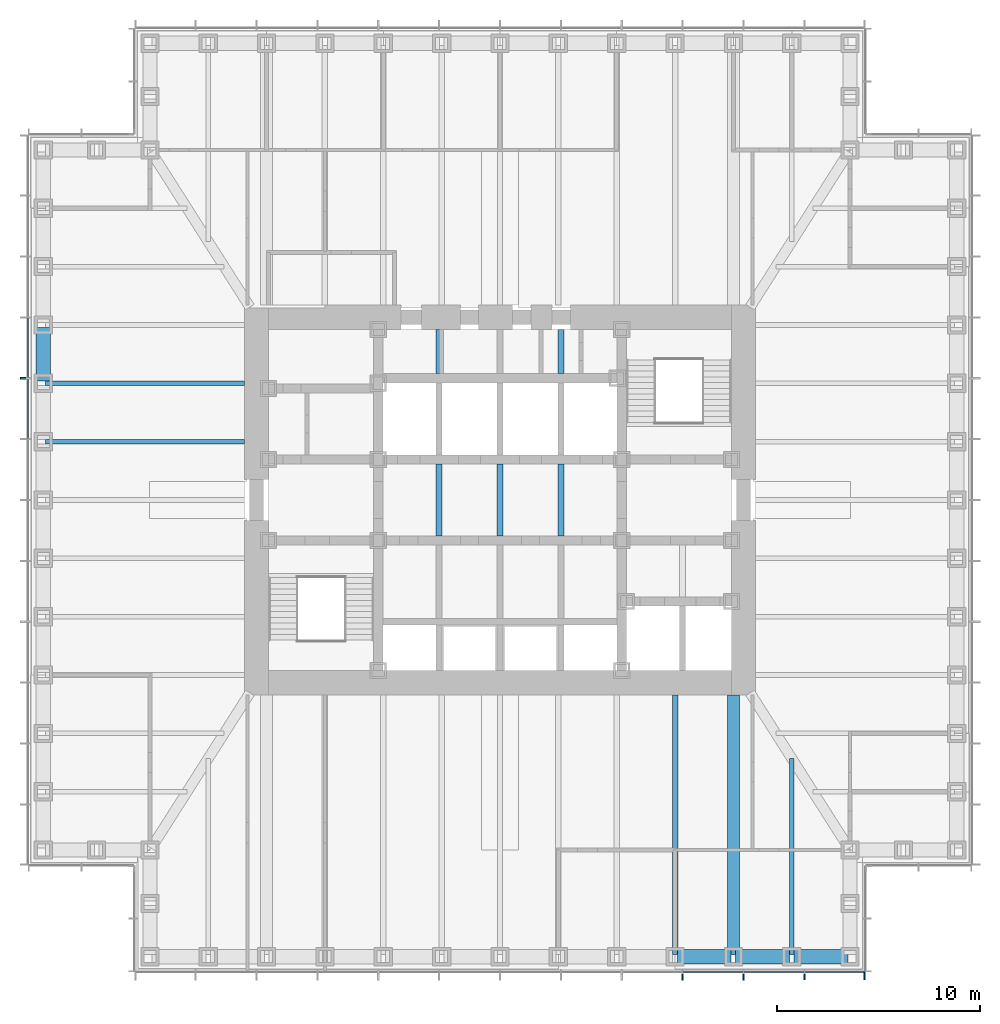
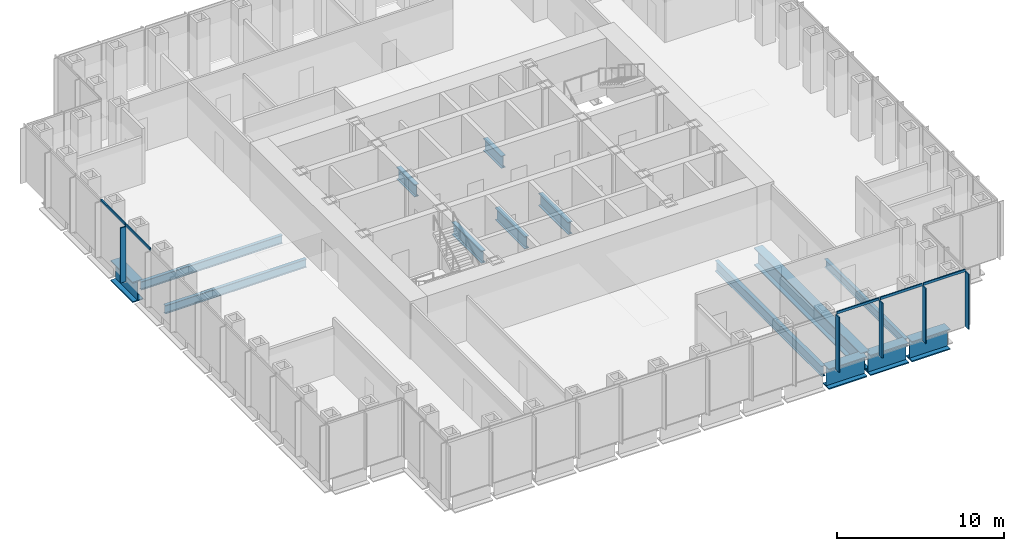
# One storey, part 3 of 17: 14 beams, 10 members, 2 elements without a shape of their own.
"""IFC4 building model written with IfcOpenShell, lengths in metres."""

from ifc_helpers import new_model, si_unit, direction, frame, origin, origin_2d, place, context, subcontext, project, spatial, rectangle, i_section, extrude, material, material_profile, profile_set, type_object, element, aggregate, save


model = new_model("IFC4")

# Units and contexts
model_context = context("Model", 3, precision=1e-05, world=origin(), true_north=direction((0.0, 1.0)))
body_context = subcontext(model_context, "Body", "Model", "MODEL_VIEW")
ifc_project = project(units=[si_unit("LENGTHUNIT", "METRE"), si_unit("AREAUNIT", "SQUARE_METRE"), si_unit("VOLUMEUNIT", "CUBIC_METRE"), si_unit("PLANEANGLEUNIT", "RADIAN"), si_unit("MASSUNIT", "GRAM", prefix="KILO")], contexts=[model_context])

# Site, building, storey
site_placement = place(None, origin())
site = spatial("IfcSite", under=ifc_project, at=site_placement, CompositionType="ELEMENT")
building_placement = place(site_placement, origin())
building = spatial("IfcBuilding", under=site, at=building_placement, Name="Daluyong Arena Tower", CompositionType="ELEMENT")
storey_placement = place(building_placement, frame((0.0, 0.0, 124.89990234375)))
storey = spatial("IfcBuildingStorey", under=building, at=storey_placement, Name="L27", CompositionType="ELEMENT", Elevation=124.89990234375)

# Curtain wall, members
ifc_material_1 = material(Name="Bronze anodised aluminium and glass", Category="aluminium")
curtain_wall_type = type_object("IfcCurtainWallType", Name="Curtain wall CW2", PredefinedType="USERDEFINED", material=ifc_material_1)
curtain_wall_1_placement = place(storey_placement, origin())
curtain_wall_1 = element("IfcCurtainWall", 1, at=curtain_wall_1_placement, inside=storey, type_object=curtain_wall_type, Name="curtain wall L27 S", ObjectType="UNITISED CURTAIN WALL", PredefinedType="USERDEFINED")
ifc_material_2 = material(Name="Bronze anodised aluminium fin", Category="aluminium")
ifc_material_profile_1 = material_profile(ifc_material_2, rectangle(XDim=0.39990234375, YDim=0.080078125, at=origin_2d()))
ifc_profile_set_1 = profile_set([ifc_material_profile_1], Name="Bronze anodised aluminium fin")
member_type_1 = type_object("IfcMemberType", Name="CW2 bronze fin 400x80", PredefinedType="MULLION", material=ifc_profile_set_1)
member_1_placement = place(storey_placement, frame((65.0, 56.550048828125, 0.0), z_axis=(0.0, 0.0, 1.0), x_axis=(0.0, 1.0, 0.0)))
member_1 = element("IfcMember", 2, at=member_1_placement, type_object=member_type_1, Name="curtain wall L27 S fin 10", PredefinedType="MULLION", context=body_context, shape_type="SweptSolid", body=[
    extrude(rectangle(XDim=0.39990234375, YDim=0.080078125, at=origin_2d()), origin(), (0.0, 0.0, 1.0), 4.02001953125),
])
member_2_placement = place(storey_placement, frame((68.0, 56.550048828125, 0.0), z_axis=(0.0, 0.0, 1.0), x_axis=(0.0, 1.0, 0.0)))
member_2 = element("IfcMember", 3, at=member_2_placement, type_object=member_type_1, Name="curtain wall L27 S fin 11", PredefinedType="MULLION", context=body_context, shape_type="SweptSolid", body=[
    extrude(rectangle(XDim=0.39990234375, YDim=0.080078125, at=origin_2d()), origin(), (0.0, 0.0, 1.0), 4.02001953125),
])
member_3_placement = place(storey_placement, frame((71.0, 56.550048828125, 0.0), z_axis=(0.0, 0.0, 1.0), x_axis=(0.0, 1.0, 0.0)))
member_3 = element("IfcMember", 4, at=member_3_placement, type_object=member_type_1, Name="curtain wall L27 S fin 12", PredefinedType="MULLION", context=body_context, shape_type="SweptSolid", body=[
    extrude(rectangle(XDim=0.39990234375, YDim=0.080078125, at=origin_2d()), origin(), (0.0, 0.0, 1.0), 4.02001953125),
])
member_4_placement = place(storey_placement, frame((73.9599609375, 56.550048828125, 0.0), z_axis=(0.0, 0.0, 1.0), x_axis=(0.0, 1.0, 0.0)))
member_4 = element("IfcMember", 5, at=member_4_placement, type_object=member_type_1, Name="curtain wall L27 S fin 13", PredefinedType="MULLION", context=body_context, shape_type="SweptSolid", body=[
    extrude(rectangle(XDim=0.39990234375, YDim=0.080078125, at=origin_2d()), origin(), (0.0, 0.0, 1.0), 4.02001953125),
])

# Curtain wall, member
curtain_wall_2_placement = place(storey_placement, origin())
curtain_wall_2 = element("IfcCurtainWall", 6, at=curtain_wall_2_placement, inside=storey, type_object=curtain_wall_type, Name="curtain wall L27 W", ObjectType="UNITISED CURTAIN WALL", PredefinedType="USERDEFINED")
member_5_placement = place(storey_placement, frame((32.550048828125, 86.0, 0.0), z_axis=(0.0, 0.0, 1.0), x_axis=(1.0, 0.0, 0.0)))
member_5 = element("IfcMember", 7, at=member_5_placement, type_object=member_type_1, Name="curtain wall L27 W fin 5", PredefinedType="MULLION", context=body_context, shape_type="SweptSolid", body=[
    extrude(rectangle(XDim=0.39990234375, YDim=0.080078125, at=origin_2d()), origin(), (0.0, 0.0, 1.0), 4.02001953125),
])

# Member
ifc_material_3 = material(Name="Bronze anodised aluminium", Category="aluminium")
ifc_material_profile_2 = material_profile(ifc_material_3, rectangle(XDim=0.080078125, YDim=0.179931640625, at=origin_2d()))
ifc_profile_set_2 = profile_set([ifc_material_profile_2], Name="Bronze anodised aluminium")
member_type_2 = type_object("IfcMemberType", Name="CW2 stack transom 180x80", PredefinedType="USERDEFINED", material=ifc_profile_set_2)
member_6_placement = place(storey_placement, frame((65.0400390625, 56.75, 4.110107421875), z_axis=(1.0, 0.0, 0.0), x_axis=(0.0, 1.0, 0.0)))
member_6 = element("IfcMember", 8, at=member_6_placement, type_object=member_type_2, Name="curtain wall L27 S transom 10", ObjectType="TRANSOM", PredefinedType="USERDEFINED", context=body_context, shape_type="SweptSolid", body=[
    extrude(rectangle(XDim=0.080078125, YDim=0.179931640625, at=origin_2d()), origin(), (0.0, 0.0, 1.0), 2.919921875),
])

member_7_placement = place(storey_placement, frame((68.0400390625, 56.75, 4.110107421875), z_axis=(1.0, 0.0, 0.0), x_axis=(0.0, 1.0, 0.0)))
member_7 = element("IfcMember", 9, at=member_7_placement, type_object=member_type_2, Name="curtain wall L27 S transom 11", ObjectType="TRANSOM", PredefinedType="USERDEFINED", context=body_context, shape_type="SweptSolid", body=[
    extrude(rectangle(XDim=0.080078125, YDim=0.179931640625, at=origin_2d()), origin(), (0.0, 0.0, 1.0), 2.919921875),
])

member_8_placement = place(storey_placement, frame((71.0400390625, 56.75, 4.110107421875), z_axis=(1.0, 0.0, 0.0), x_axis=(0.0, 1.0, 0.0)))
member_8 = element("IfcMember", 10, at=member_8_placement, type_object=member_type_2, Name="curtain wall L27 S transom 12", ObjectType="TRANSOM", PredefinedType="USERDEFINED", context=body_context, shape_type="SweptSolid", body=[
    extrude(rectangle(XDim=0.080078125, YDim=0.179931640625, at=origin_2d()), origin(), (0.0, 0.0, 1.0), 2.8798828125),
])

aggregate(curtain_wall_1, [member_1, member_2, member_3, member_4, member_6, member_7, member_8])

member_9_placement = place(storey_placement, frame((32.75, 88.9599609375, 4.110107421875), z_axis=(0.0, -1.0, 0.0), x_axis=(1.0, 0.0, 0.0)))
member_9 = element("IfcMember", 11, at=member_9_placement, type_object=member_type_2, Name="curtain wall L27 W transom 4", ObjectType="TRANSOM", PredefinedType="USERDEFINED", context=body_context, shape_type="SweptSolid", body=[
    extrude(rectangle(XDim=0.080078125, YDim=0.179931640625, at=origin_2d()), origin(), (0.0, 0.0, 1.0), 2.919921875),
])

member_10_placement = place(storey_placement, frame((32.75, 85.9599609375, 4.110107421875), z_axis=(0.0, -1.0, 0.0), x_axis=(1.0, 0.0, 0.0)))
member_10 = element("IfcMember", 12, at=member_10_placement, type_object=member_type_2, Name="curtain wall L27 W transom 5", ObjectType="TRANSOM", PredefinedType="USERDEFINED", context=body_context, shape_type="SweptSolid", body=[
    extrude(rectangle(XDim=0.080078125, YDim=0.179931640625, at=origin_2d()), origin(), (0.0, 0.0, 1.0), 2.919921875),
])

aggregate(curtain_wall_2, [member_5, member_9, member_10])

# Beams
ifc_material_4 = material(Name="Steel ASTM A572 Grade 50", Category="steel")
ifc_material_profile_3 = material_profile(ifc_material_4, i_section(OverallWidth=0.60009765625, OverallDepth=1.300048828125, WebThickness=0.035, FlangeThickness=0.07, at=origin_2d()))
ifc_profile_set_3 = profile_set([ifc_material_profile_3], Name="Steel ASTM A572 Grade 50")
beam_type_1 = type_object("IfcBeamType", Name="Floor beam TB1300X600", PredefinedType="BEAM", material=ifc_profile_set_3)
beam_1_placement = place(storey_placement, frame((67.5, 57.614990234375, -0.809814453125), z_axis=(0.0, 1.0, 0.0), x_axis=(-1.0, 0.0, 0.0)))
element("IfcBeam", 13, at=beam_1_placement, inside=storey, type_object=beam_type_1, Name="floor beam FB7", PredefinedType="BEAM", context=body_context, shape_type="SweptSolid", body=[
    extrude(i_section(OverallWidth=0.60009765625, OverallDepth=1.300048828125, WebThickness=0.035, FlangeThickness=0.07, at=origin_2d()), origin(), (0.0, 0.0, 1.0), 12.784912109375),
])
ifc_material_5 = material(Name="Steel ASTM A992 Grade 50", Category="steel")
ifc_material_profile_4 = material_profile(ifc_material_5, i_section(OverallWidth=0.22900390625, OverallDepth=0.612060546875, WebThickness=0.011962890625, FlangeThickness=0.01953125, at=origin_2d()))
ifc_profile_set_4 = profile_set([ifc_material_profile_4], Name="Steel ASTM A992 Grade 50")
beam_type_2 = type_object("IfcBeamType", Name="Floor beam W24X84", PredefinedType="BEAM", material=ifc_profile_set_4)
beam_2_placement = place(storey_placement, frame((70.375, 57.614990234375, -0.466064453125), z_axis=(0.0, 1.0, 0.0), x_axis=(-1.0, 0.0, 0.0)))
element("IfcBeam", 14, at=beam_2_placement, inside=storey, type_object=beam_type_2, Name="floor beam FB3", PredefinedType="BEAM", context=body_context, shape_type="SweptSolid", body=[
    extrude(i_section(OverallWidth=0.22900390625, OverallDepth=0.612060546875, WebThickness=0.011962890625, FlangeThickness=0.01953125, at=origin_2d()), origin(), (0.0, 0.0, 1.0), 9.65283203125),
])
for number, where, z_axis, x_axis, name in (
    (15, (33.614990234375, 85.75, -0.466064453125), (1.0, 0.0, 0.0), (0.0, 1.0, 0.0), "floor beam FB3"),
    (16, (33.614990234375, 82.875, -0.466064453125), (1.0, 0.0, 0.0), (0.0, 1.0, 0.0), "floor beam FB3"),
):
    element("IfcBeam", number, at=place(storey_placement, frame(where, z_axis=z_axis, x_axis=x_axis)), inside=storey, type_object=beam_type_2, Name=name, PredefinedType="BEAM", context=body_context, shape_type="SweptSolid", body=[
        extrude(i_section(OverallWidth=0.22900390625, OverallDepth=0.612060546875, WebThickness=0.011962890625, FlangeThickness=0.01953125, at=origin_2d()), origin(), (0.0, 0.0, 1.0), 9.784912109375),
    ])
ifc_material_6 = material(Name="Steel ASTM A992 Grade 50", Category="steel")
ifc_material_profile_5 = material_profile(ifc_material_6, i_section(OverallWidth=0.2666015625, OverallDepth=0.761962890625, WebThickness=0.014404296875, FlangeThickness=0.021484375, at=origin_2d()))
ifc_profile_set_5 = profile_set([ifc_material_profile_5], Name="Steel ASTM A992 Grade 50")
beam_type_3 = type_object("IfcBeamType", Name="Floor beam W30X116", PredefinedType="BEAM", material=ifc_profile_set_5)
beam_3_placement = place(storey_placement, frame((64.625, 57.614990234375, -0.541015625), z_axis=(0.0, 1.0, 0.0), x_axis=(-1.0, 0.0, 0.0)))
element("IfcBeam", 17, at=beam_3_placement, inside=storey, type_object=beam_type_3, Name="floor beam FB4", PredefinedType="BEAM", context=body_context, shape_type="SweptSolid", body=[
    extrude(i_section(OverallWidth=0.2666015625, OverallDepth=0.761962890625, WebThickness=0.014404296875, FlangeThickness=0.021484375, at=origin_2d()), origin(), (0.0, 0.0, 1.0), 12.784912109375),
])
ifc_material_7 = material(Name="Steel ASTM A572 Grade 50", Category="steel")
ifc_material_profile_6 = material_profile(ifc_material_7, i_section(OverallWidth=0.300048828125, OverallDepth=0.89990234375, WebThickness=0.025, FlangeThickness=0.04, at=origin_2d()))
ifc_profile_set_6 = profile_set([ifc_material_profile_6], Name="Steel ASTM A572 Grade 50")
beam_type_4 = type_object("IfcBeamType", Name="Lift divider beam PG900X300", PredefinedType="BEAM", material=ifc_profile_set_6)
beam_4_placement = place(storey_placement, frame((53.0, 78.22509765625, -0.60986328125), z_axis=(0.0, 1.0, 0.0), x_axis=(-1.0, 0.0, 0.0)))
element("IfcBeam", 18, at=beam_4_placement, inside=storey, type_object=beam_type_4, Name="lift divider beam DB1", PredefinedType="BEAM", context=body_context, shape_type="SweptSolid", body=[
    extrude(i_section(OverallWidth=0.300048828125, OverallDepth=0.89990234375, WebThickness=0.025, FlangeThickness=0.04, at=origin_2d()), origin(), (0.0, 0.0, 1.0), 3.5498046875),
])
beam_5_placement = place(storey_placement, frame((53.0, 86.22509765625, -0.60986328125), z_axis=(0.0, 1.0, 0.0), x_axis=(-1.0, 0.0, 0.0)))
element("IfcBeam", 19, at=beam_5_placement, inside=storey, type_object=beam_type_4, Name="lift divider beam DB1", PredefinedType="BEAM", context=body_context, shape_type="SweptSolid", body=[
    extrude(i_section(OverallWidth=0.300048828125, OverallDepth=0.89990234375, WebThickness=0.025, FlangeThickness=0.04, at=origin_2d()), origin(), (0.0, 0.0, 1.0), 2.1748046875),
])
for number, where, z_axis, x_axis, name in (
    (20, (56.0, 78.22509765625, -0.60986328125), (0.0, 1.0, 0.0), (-1.0, 0.0, 0.0), "lift divider beam DB1"),
    (21, (59.0, 78.22509765625, -0.60986328125), (0.0, 1.0, 0.0), (-1.0, 0.0, 0.0), "lift divider beam DB1"),
):
    element("IfcBeam", number, at=place(storey_placement, frame(where, z_axis=z_axis, x_axis=x_axis)), inside=storey, type_object=beam_type_4, Name=name, PredefinedType="BEAM", context=body_context, shape_type="SweptSolid", body=[
        extrude(i_section(OverallWidth=0.300048828125, OverallDepth=0.89990234375, WebThickness=0.025, FlangeThickness=0.04, at=origin_2d()), origin(), (0.0, 0.0, 1.0), 3.5498046875),
    ])
beam_6_placement = place(storey_placement, frame((59.0, 86.22509765625, -0.60986328125), z_axis=(0.0, 1.0, 0.0), x_axis=(-1.0, 0.0, 0.0)))
element("IfcBeam", 22, at=beam_6_placement, inside=storey, type_object=beam_type_4, Name="lift divider beam DB1", PredefinedType="BEAM", context=body_context, shape_type="SweptSolid", body=[
    extrude(i_section(OverallWidth=0.300048828125, OverallDepth=0.89990234375, WebThickness=0.025, FlangeThickness=0.04, at=origin_2d()), origin(), (0.0, 0.0, 1.0), 2.1748046875),
])
ifc_material_8 = material(Name="Steel ASTM A572 Grade 50", Category="steel")
ifc_material_profile_7 = material_profile(ifc_material_8, i_section(OverallWidth=0.699951171875, OverallDepth=1.5, WebThickness=0.04, FlangeThickness=0.08, at=origin_2d()))
ifc_profile_set_7 = profile_set([ifc_material_profile_7], Name="Steel ASTM A572 Grade 50")
beam_type_5 = type_object("IfcBeamType", Name="Spandrel Z2 PG1500X700", PredefinedType="SPANDREL", material=ifc_profile_set_7)
for number, where, z_axis, x_axis, name in (
    (23, (64.739990234375, 57.5, -0.909912109375), (1.0, 0.0, 0.0), (0.0, 1.0, 0.0), "spandrel z2 SB6"),
    (24, (67.614990234375, 57.5, -0.909912109375), (1.0, 0.0, 0.0), (0.0, 1.0, 0.0), "spandrel z2 SB6"),
    (25, (70.489990234375, 57.5, -0.909912109375), (1.0, 0.0, 0.0), (0.0, 1.0, 0.0), "spandrel z2 SB6"),
    (26, (33.5, 88.510009765625, -0.909912109375), (0.0, -1.0, 0.0), (1.0, 0.0, 0.0), "spandrel z2 SB6"),
):
    element("IfcBeam", number, at=place(storey_placement, frame(where, z_axis=z_axis, x_axis=x_axis)), inside=storey, type_object=beam_type_5, Name=name, PredefinedType="SPANDREL", context=body_context, shape_type="SweptSolid", body=[
        extrude(i_section(OverallWidth=0.699951171875, OverallDepth=1.5, WebThickness=0.04, FlangeThickness=0.08, at=origin_2d()), origin(), (0.0, 0.0, 1.0), 2.64501953125),
    ])

save(model, "model.ifc")
